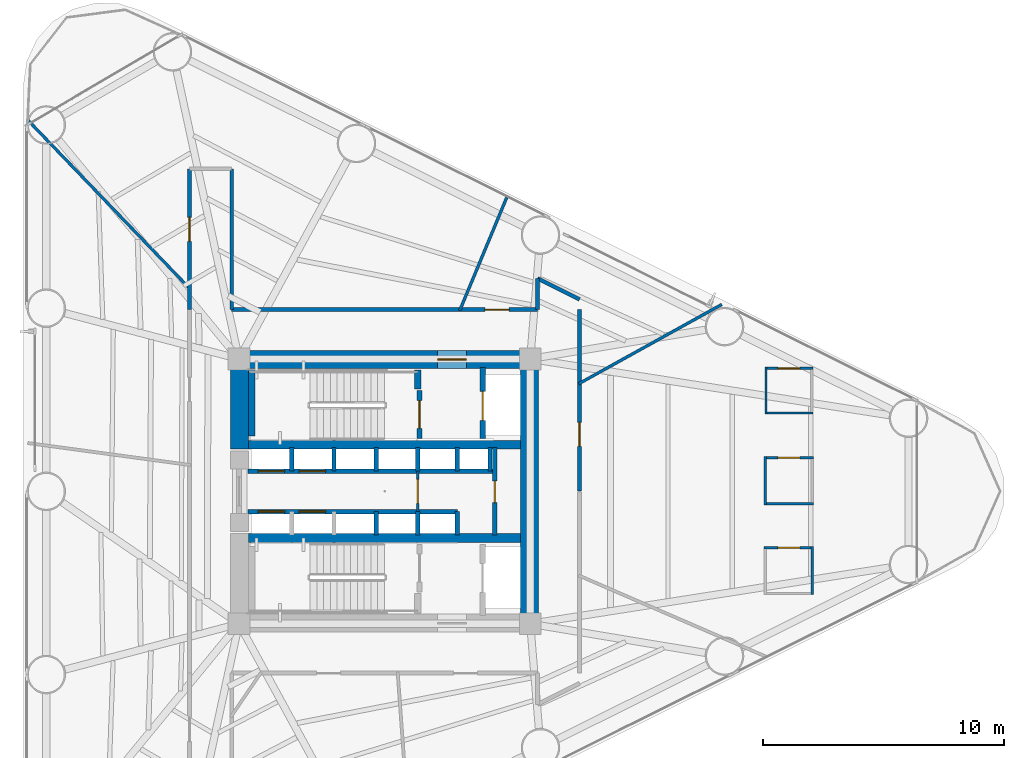
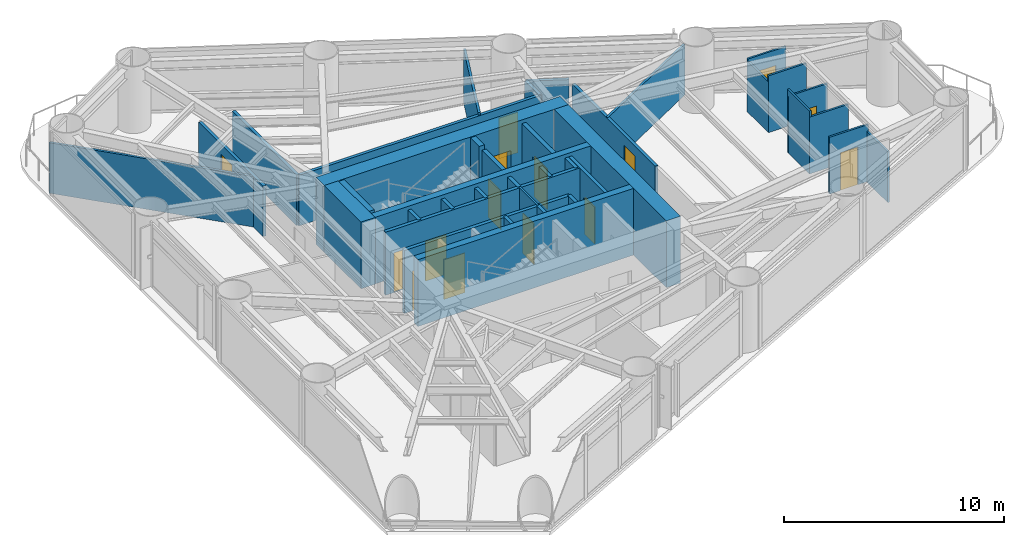
# One storey, part 6 of 10: 39 walls, 15 doors, 15 openings.
"""IFC4 building model written with IfcOpenShell, lengths in metres."""

import ifcopenshell
import ifcopenshell.guid

model = None  # the IFC model being written
_history = None  # IfcOwnerHistory: only IFC2X3 demands one
_inside = {}  # id of a spatial element -> (the spatial element, [elements in it])
_under = {}  # id of a project, library or spatial element -> (it, [spatial elements below it])
_declared = {}  # id of a project -> (the project, [libraries it declares])
_typed = {}  # id of a type object -> (the type object, [elements of that type])
_made_of = {}  # id of a material, layer set ... -> (it, [elements and type objects made of it])


def new_model(schema):
    """Start an empty IFC model of exactly this schema.

    Asked for "IFC4X3", IfcOpenShell would pick the latest addendum, in which some entities
    have other attributes; the version numbers below select the first issue.
    IFC2X3 requires an IfcOwnerHistory on every rooted entity: one is made here for all.
    """
    global model, _history
    if schema == "IFC4X3":
        model = ifcopenshell.file(schema_version=(4, 3, 0, 0))
    else:
        model = ifcopenshell.file(schema=schema)
    _inside.clear()
    _under.clear()
    _declared.clear()
    _typed.clear()
    _made_of.clear()
    _history = None
    if model.schema == "IFC2X3":
        org = make("IfcOrganization", Name="unknown")
        user = make(
            "IfcPersonAndOrganization",
            ThePerson=make("IfcPerson", FamilyName="unknown"),
            TheOrganization=org,
        )
        app = make(
            "IfcApplication",
            ApplicationDeveloper=org,
            Version="unknown",
            ApplicationFullName="unknown",
            ApplicationIdentifier="unknown",
        )
        _history = make(
            "IfcOwnerHistory",
            OwningUser=user,
            OwningApplication=app,
            ChangeAction="ADDED",
            CreationDate=0,
        )
    return model


def make(cls, **values):
    """One entity of the class cls with the attributes given. An attribute that is None is left unset."""
    return model.create_entity(
        cls, **{name: value for name, value in values.items() if value is not None}
    )


def rooted(cls, **values):
    """An entity with a GlobalId (a new one), such as an element, a storey or a relation."""
    return make(cls, GlobalId=ifcopenshell.guid.new(), OwnerHistory=_history, **values)


def si_unit(unit_type, name, prefix=None):
    """IfcSIUnit, for example si_unit("LENGTHUNIT", "METRE", prefix="MILLI")."""
    return make("IfcSIUnit", UnitType=unit_type, Prefix=prefix, Name=name)


def assignment(units):
    """IfcUnitAssignment: the units of a project."""
    return None if units is None else make("IfcUnitAssignment", Units=units)


def point(xyz):
    """IfcCartesianPoint."""
    return None if xyz is None else make("IfcCartesianPoint", Coordinates=xyz)


def direction(xyz):
    """IfcDirection."""
    return None if xyz is None else make("IfcDirection", DirectionRatios=xyz)


def frame(location, z_axis=None, x_axis=None):
    """IfcAxis2Placement3D, a coordinate frame: its origin and axes. An axis left out is left unset."""
    return make(
        "IfcAxis2Placement3D",
        Location=point(location),
        Axis=direction(z_axis),
        RefDirection=direction(x_axis),
    )


def frame_2d(location, x_axis=None):
    """IfcAxis2Placement2D, a coordinate frame in the plane: its origin and x axis."""
    return make(
        "IfcAxis2Placement2D", Location=point(location), RefDirection=direction(x_axis)
    )


def origin():
    """The frame at (0, 0, 0) with its axes left unset."""
    return frame((0.0, 0.0, 0.0))


def place(relative_to, where):
    """IfcLocalPlacement: puts the frame where relative to a parent placement (None: the world)."""
    return make(
        "IfcLocalPlacement", PlacementRelTo=relative_to, RelativePlacement=where
    )


def context(
    kind, dimensions, precision=None, world=None, true_north=None, identifier=None
):
    """IfcGeometricRepresentationContext, for example the 3D "Model" context."""
    return make(
        "IfcGeometricRepresentationContext",
        ContextIdentifier=identifier,
        ContextType=kind,
        CoordinateSpaceDimension=dimensions,
        Precision=precision,
        WorldCoordinateSystem=world,
        TrueNorth=true_north,
    )


def subcontext(parent, identifier, kind, view, scale=None):
    """IfcGeometricRepresentationSubContext, for example "Body" below "Model"."""
    return make(
        "IfcGeometricRepresentationSubContext",
        ContextIdentifier=identifier,
        ContextType=kind,
        ParentContext=parent,
        TargetScale=scale,
        TargetView=view,
    )


def project(units=None, contexts=None):
    """IfcProject with its units and contexts."""
    return rooted(
        "IfcProject",
        Name="project",
        RepresentationContexts=contexts,
        UnitsInContext=assignment(units),
    )


def spatial(cls, under=None, at=None, **own):
    """A site, building, storey or space (cls), placed at a placement, below another one or the project."""
    s = rooted(cls, ObjectPlacement=at, **own)
    if under is not None:
        _under.setdefault(under.id(), (under, []))[1].append(s)
    return s


def profile(cls, at=None, kind="AREA", **sizes):
    """A parametric profile (cls). Its sizes go by their IFC names, for example OverallWidth=200.0."""
    return make(cls, ProfileType=kind, Position=at, **sizes)


def rectangle(**sizes):
    """IfcRectangleProfileDef."""
    return profile("IfcRectangleProfileDef", **sizes)


def extrude(swept, where, along, depth):
    """IfcExtrudedAreaSolid: the profile swept, set in the frame where, extruded along a direction by depth."""
    return make(
        "IfcExtrudedAreaSolid",
        SweptArea=swept,
        Position=where,
        ExtrudedDirection=direction(along),
        Depth=depth,
    )


def shape(context_of_items, identifier, shape_type, items):
    """IfcShapeRepresentation: the items that make up one representation, for example the "Body"."""
    return make(
        "IfcShapeRepresentation",
        ContextOfItems=context_of_items,
        RepresentationIdentifier=identifier,
        RepresentationType=shape_type,
        Items=items,
    )


def material(Name=None, Category=None):
    """IfcMaterial."""
    return make("IfcMaterial", Name=Name, Category=Category)


def layer(
    of_material, thickness, ventilated=None, Name=None, Category=None, Priority=None
):
    """IfcMaterialLayer: one layer of a wall or slab, of a material (None: an air gap)."""
    return make(
        "IfcMaterialLayer",
        Material=of_material,
        LayerThickness=thickness,
        IsVentilated=ventilated,
        Name=Name,
        Category=Category,
        Priority=Priority,
    )


def layer_set(layers, Name=None):
    """IfcMaterialLayerSet."""
    return make("IfcMaterialLayerSet", MaterialLayers=layers, LayerSetName=Name)


def made_of(thing, what):
    """Note that an element or type object is made of a material, layer set ...; save() writes the relation."""
    if what is not None:
        _made_of.setdefault(what.id(), (what, []))[1].append(thing)
    return thing


def type_object(cls, material=None, **own):
    """A type object (cls), such as IfcWallType, which elements share."""
    return made_of(rooted(cls, **own), material)


def element(
    cls,
    number,
    at=None,
    inside=None,
    cuts=None,
    type_object=None,
    material=None,
    context=None,
    identifier="Body",
    shape_type=None,
    held_by="IfcProductDefinitionShape",
    body=None,
    shapes=None,
    **own,
):
    """One element of the class cls, such as IfcWall. Its Tag is "e" and its number.

    at: its placement. inside: the storey or other place that contains it. cuts: it is an
    opening in that element (IfcRelVoidsElement). A single representation is given by context,
    identifier, shape_type and body (its items); several are given by shapes. held_by: the class
    of the entity that holds the representations. save() writes the other relations.
    """
    e = rooted(cls, Tag="e%d" % number, ObjectPlacement=at, **own)
    if body is not None:
        shapes = [shape(context, identifier, shape_type, body)]
    if shapes is not None:
        e.Representation = make(held_by, Representations=shapes)
    if inside is not None:
        _inside.setdefault(inside.id(), (inside, []))[1].append(e)
    if cuts is not None:
        rooted(
            "IfcRelVoidsElement", RelatingBuildingElement=cuts, RelatedOpeningElement=e
        )
    if type_object is not None:
        _typed.setdefault(type_object.id(), (type_object, []))[1].append(e)
    return made_of(e, material)


def fill(opening, filler):
    """IfcRelFillsElement: the door or window that sits in an opening."""
    return rooted(
        "IfcRelFillsElement",
        RelatingOpeningElement=opening,
        RelatedBuildingElement=filler,
    )


def aggregate(whole, parts):
    """IfcRelAggregates: a whole, such as a stair, and the parts it consists of."""
    return rooted("IfcRelAggregates", RelatingObject=whole, RelatedObjects=parts)


def save(model, path):
    """Write the relations noted so far, then the file.

    IfcRelAggregates (storeys below a building ...), IfcRelContainedInSpatialStructure (elements
    in a storey), IfcRelDefinesByType, IfcRelAssociatesMaterial and IfcRelDeclares: one each for
    every whole, place, type object, material and project.
    """
    for whole, parts in _under.values():
        aggregate(whole, parts)
    for where, things in _inside.values():
        rooted(
            "IfcRelContainedInSpatialStructure",
            RelatedElements=things,
            RelatingStructure=where,
        )
    for kind, things in _typed.values():
        rooted("IfcRelDefinesByType", RelatedObjects=things, RelatingType=kind)
    for what, things in _made_of.values():
        rooted("IfcRelAssociatesMaterial", RelatedObjects=things, RelatingMaterial=what)
    for by, libraries in _declared.values():
        rooted("IfcRelDeclares", RelatingContext=by, RelatedDefinitions=libraries)
    model.write(path)


model = new_model("IFC4")

# Units and contexts
model_context = context("Model", 3, precision=1e-05, world=origin(), true_north=direction((0.0, 1.0)))
body_context = subcontext(model_context, "Body", "Model", "MODEL_VIEW")
ifc_project = project(units=[si_unit("LENGTHUNIT", "METRE"), si_unit("AREAUNIT", "SQUARE_METRE"), si_unit("VOLUMEUNIT", "CUBIC_METRE"), si_unit("PLANEANGLEUNIT", "RADIAN"), si_unit("MASSUNIT", "GRAM", prefix="KILO")], contexts=[model_context])

# Site, building, storey
site_placement = place(None, origin())
site = spatial("IfcSite", under=ifc_project, at=site_placement, CompositionType="ELEMENT")
building_placement = place(site_placement, origin())
building = spatial("IfcBuilding", under=site, at=building_placement, Name="Yunling Apex Tower", CompositionType="ELEMENT")
storey_placement = place(building_placement, frame((0.0, 0.0, 34.89990234375)))
storey = spatial("IfcBuildingStorey", under=building, at=storey_placement, Name="L10", CompositionType="ELEMENT", Elevation=34.89990234375)

# Wall, opening, door
ifc_material_1 = material(Name="Concrete C60", Category="concrete")
ifc_layer_1 = layer(ifc_material_1, 0.75)
ifc_layer_set_1 = layer_set([ifc_layer_1], Name="Concrete C60")
wall_type_1 = type_object("IfcWallType", Name="WL-COR-1", PredefinedType="SHEAR", material=ifc_layer_set_1)
wall_1_placement = place(storey_placement, frame((-6.39990234375, 5.47509765625, 0.0), z_axis=(0.0, 0.0, 1.0), x_axis=(1.0, 0.0, 0.0)))
wall_1 = element("IfcWall", 1, at=wall_1_placement, inside=storey, type_object=wall_type_1, Name="L10 North Core Shear Wall", PredefinedType="SHEAR", context=body_context, shape_type="SweptSolid", body=[
    extrude(rectangle(XDim=12.7998046875, YDim=0.75, at=frame_2d((6.39990234375, 0.0))), origin(), (0.0, 0.0, 1.0), 3.7001953125),
])
opening_1_placement = place(wall_1_placement, frame((8.60009765625, 0.0, 0.0)))
opening_1 = element("IfcOpeningElement", 2, at=opening_1_placement, cuts=wall_1, Name="Opening DR-FFL-1", PredefinedType="OPENING", context=body_context, shape_type="SweptSolid", body=[
    extrude(rectangle(XDim=1.199951171875, YDim=2.199951171875, at=frame_2d((0.60009765625, 1.10009765625))), frame((0.0, 0.385009765625, 0.0), z_axis=(0.0, -1.0, 0.0), x_axis=(1.0, 0.0, 0.0)), (0.0, 0.0, 1.0), 0.77001953125),
])
ifc_material_2 = material(Name="Steel Q355B", Category="steel")
door_type_1 = type_object("IfcDoorType", Name="DR-FFL-1", OperationType="NOTDEFINED", PredefinedType="DOOR", material=ifc_material_2)
door_1_placement = place(opening_1_placement, origin())
door_1 = element("IfcDoor", 3, at=door_1_placement, inside=storey, type_object=door_type_1, Name="L10 North Firefighting Lobby Door", OperationType="SINGLE_SWING_LEFT", OverallHeight=2.199951171875, OverallWidth=1.199951171875, PredefinedType="DOOR", context=body_context, shape_type="SweptSolid", body=[
    extrude(rectangle(XDim=1.199951171875, YDim=2.199951171875, at=frame_2d((0.60009765625, 1.10009765625))), frame((0.0, 0.02490234375, 0.0), z_axis=(0.0, -1.0, 0.0), x_axis=(1.0, 0.0, 0.0)), (0.0, 0.0, 1.0), 0.050048828125),
])
fill(opening_1, door_1)

# Walls
wall_2_placement = place(storey_placement, frame((6.02490234375, -5.10009765625, 0.0), z_axis=(0.0, 0.0, 1.0), x_axis=(0.0, 1.0, 0.0)))
element("IfcWall", 4, at=wall_2_placement, inside=storey, type_object=wall_type_1, Name="L10 East Core Shear Wall", PredefinedType="SHEAR", context=body_context, shape_type="SweptSolid", body=[
    extrude(rectangle(XDim=10.2001953125, YDim=0.75, at=frame_2d((5.10009765625, 0.0))), origin(), (0.0, 0.0, 1.0), 3.7001953125),
])
wall_3_placement = place(storey_placement, frame((-6.02490234375, 1.75, 0.0), z_axis=(0.0, 0.0, 1.0), x_axis=(0.0, 1.0, 0.0)))
element("IfcWall", 5, at=wall_3_placement, inside=storey, type_object=wall_type_1, Name="L10 West-North Core Shear Wall", PredefinedType="SHEAR", context=body_context, shape_type="SweptSolid", body=[
    extrude(rectangle(XDim=3.35009765625, YDim=0.75, at=frame_2d((1.675048828125, 0.0))), origin(), (0.0, 0.0, 1.0), 3.7001953125),
])
ifc_material_3 = material(Name="Concrete C40", Category="concrete")
ifc_layer_2 = layer(ifc_material_3, 0.360107421875)
ifc_layer_set_2 = layer_set([ifc_layer_2], Name="Concrete C40")
wall_type_2 = type_object("IfcWallType", Name="WL-COR-4", PredefinedType="SHEAR", material=ifc_layer_set_2)
for number, where, z_axis, x_axis, name in (
    (6, (-5.64990234375, 1.93994140625, 0.0), (0.0, 0.0, 1.0), (1.0, 0.0, 0.0), "L10 North Internal Core Shear Wall"),
    (7, (-5.64990234375, -1.93994140625, 0.0), (0.0, 0.0, 1.0), (1.0, 0.0, 0.0), "L10 South Internal Core Shear Wall"),
):
    element("IfcWall", number, at=place(storey_placement, frame(where, z_axis=z_axis, x_axis=x_axis)), inside=storey, type_object=wall_type_2, Name=name, PredefinedType="SHEAR", context=body_context, shape_type="SweptSolid", body=[
        extrude(rectangle(XDim=11.2998046875, YDim=0.360107421875, at=frame_2d((5.64990234375, 0.0))), origin(), (0.0, 0.0, 1.0), 3.7001953125),
    ])
ifc_layer_3 = layer(ifc_material_3, 0.280029296875)
ifc_layer_set_3 = layer_set([ifc_layer_3], Name="Concrete C40")
wall_type_3 = type_object("IfcWallType", Name="WL-COR-8", PredefinedType="SHEAR", material=ifc_layer_set_3)
wall_4_placement = place(storey_placement, frame((-5.52001953125, 2.300048828125, 0.0), z_axis=(0.0, 0.0, 1.0), x_axis=(0.0, 1.0, 0.0)))
element("IfcWall", 8, at=wall_4_placement, inside=storey, type_object=wall_type_3, Name="L10 ST-1 West Landing Bearing Wall", PredefinedType="SHEAR", context=body_context, shape_type="SweptSolid", body=[
    extrude(rectangle(XDim=2.75, YDim=0.280029296875, at=frame_2d((1.375, 0.0))), origin(), (0.0, 0.0, 1.0), 3.7001953125),
])
wall_5_placement = place(storey_placement, frame((1.3798828125, 4.25, 0.0), z_axis=(0.0, 0.0, 1.0), x_axis=(0.0, 1.0, 0.0)))
element("IfcWall", 9, at=wall_5_placement, inside=storey, type_object=wall_type_3, Name="L10 ST-1 East Landing Bearing Pier", PredefinedType="SHEAR", context=body_context, shape_type="SweptSolid", body=[
    extrude(rectangle(XDim=0.800048828125, YDim=0.280029296875, at=frame_2d((0.39990234375, 0.0))), origin(), (0.0, 0.0, 1.0), 3.7001953125),
])

# Wall, opening, door
ifc_material_4 = material(Name="Gypsum board acoustic partition")
ifc_layer_4 = layer(ifc_material_4, 0.159912109375)
ifc_layer_set_4 = layer_set([ifc_layer_4], Name="Gypsum board acoustic partition")
wall_type_4 = type_object("IfcWallType", Name="WL-PRT-1", PredefinedType="PARTITIONING", material=ifc_layer_set_4)
wall_6_placement = place(storey_placement, frame((-8.10009765625, 7.550048828125, 0.0), z_axis=(0.0, 0.0, 1.0), x_axis=(0.0, 1.0, 0.0)))
wall_6 = element("IfcWall", 10, at=wall_6_placement, inside=storey, type_object=wall_type_4, Name="WL-CORR-L10-06", PredefinedType="PARTITIONING", context=body_context, shape_type="SweptSolid", body=[
    extrude(rectangle(XDim=5.849853515625, YDim=0.159912109375, at=frame_2d((2.9248046875, 0.0))), origin(), (0.0, 0.0, 1.0), 2.800048828125),
])
opening_2_placement = place(wall_6_placement, frame((2.830078125, 0.0, 0.0)))
opening_2 = element("IfcOpeningElement", 11, at=opening_2_placement, cuts=wall_6, Name="Opening DR-OFF-1", PredefinedType="OPENING", context=body_context, shape_type="SweptSolid", body=[
    extrude(rectangle(XDim=1.0, YDim=2.25, at=frame_2d((0.5, 1.125))), frame((0.0, 0.08984375, 0.0), z_axis=(0.0, -1.0, 0.0), x_axis=(1.0, 0.0, 0.0)), (0.0, 0.0, 1.0), 0.179931640625),
])
ifc_material_5 = material(Name="Bronze anodised aluminium", Category="aluminium")
door_type_2 = type_object("IfcDoorType", Name="DR-OFF-1", OperationType="NOTDEFINED", PredefinedType="DOOR", material=ifc_material_5)
door_2_placement = place(opening_2_placement, origin())
door_2 = element("IfcDoor", 12, at=door_2_placement, inside=storey, type_object=door_type_2, Name="L10 Staff Fitness Club Door", OperationType="SINGLE_SWING_RIGHT", OverallHeight=2.25, OverallWidth=1.0, PredefinedType="DOOR", context=body_context, shape_type="SweptSolid", body=[
    extrude(rectangle(XDim=1.0, YDim=2.25, at=frame_2d((0.5, 1.125))), frame((0.0, 0.02490234375, 0.0), z_axis=(0.0, -1.0, 0.0), x_axis=(1.0, 0.0, 0.0)), (0.0, 0.0, 1.0), 0.050048828125),
])
fill(opening_2, door_2)

# Wall
wall_7_placement = place(storey_placement, frame((-6.35009765625, 13.39990234375, 0.0), z_axis=(0.0, 0.0, 1.0), x_axis=(0.0, -1.0, 0.0)))
element("IfcWall", 13, at=wall_7_placement, inside=storey, type_object=wall_type_4, Name="WL-CORR-L10-08", PredefinedType="PARTITIONING", context=body_context, shape_type="SweptSolid", body=[
    extrude(rectangle(XDim=5.849853515625, YDim=0.159912109375, at=frame_2d((2.9248046875, 0.0))), origin(), (0.0, 0.0, 1.0), 2.800048828125),
])

# Wall, opening, door
wall_8_placement = place(storey_placement, frame((-6.35009765625, 7.550048828125, 0.0), z_axis=(0.0, 0.0, 1.0), x_axis=(1.0, 0.0, 0.0)))
wall_8 = element("IfcWall", 14, at=wall_8_placement, inside=storey, type_object=wall_type_4, Name="WL-CORR-L10-09", PredefinedType="PARTITIONING", context=body_context, shape_type="SweptSolid", body=[
    extrude(rectangle(XDim=12.7001953125, YDim=0.159912109375, at=frame_2d((6.35009765625, 0.0))), origin(), (0.0, 0.0, 1.0), 2.800048828125),
])
opening_3_placement = place(wall_8_placement, frame((10.52001953125, 0.0, 0.0)))
opening_3 = element("IfcOpeningElement", 15, at=opening_3_placement, cuts=wall_8, Name="Opening DR-OFF-1", PredefinedType="OPENING", context=body_context, shape_type="SweptSolid", body=[
    extrude(rectangle(XDim=1.0, YDim=2.25, at=frame_2d((0.5, 1.125))), frame((0.0, 0.08984375, 0.0), z_axis=(0.0, -1.0, 0.0), x_axis=(1.0, 0.0, 0.0)), (0.0, 0.0, 1.0), 0.179931640625),
])
door_3_placement = place(opening_3_placement, origin())
door_3 = element("IfcDoor", 16, at=door_3_placement, inside=storey, type_object=door_type_2, Name="L10 Document Archive Store Door", OperationType="SINGLE_SWING_LEFT", OverallHeight=2.25, OverallWidth=1.0, PredefinedType="DOOR", context=body_context, shape_type="SweptSolid", body=[
    extrude(rectangle(XDim=1.0, YDim=2.25, at=frame_2d((0.5, 1.125))), frame((0.0, 0.02490234375, 0.0), z_axis=(0.0, -1.0, 0.0), x_axis=(1.0, 0.0, 0.0)), (0.0, 0.0, 1.0), 0.050048828125),
])
fill(opening_3, door_3)

# Walls
wall_9_placement = place(storey_placement, frame((6.35009765625, 7.550048828125, 0.0), z_axis=(0.0, 0.0, 1.0), x_axis=(0.0, 1.0, 0.0)))
element("IfcWall", 17, at=wall_9_placement, inside=storey, type_object=wall_type_4, Name="WL-CORR-L10-10", PredefinedType="PARTITIONING", context=body_context, shape_type="SweptSolid", body=[
    extrude(rectangle(XDim=1.296142578125, YDim=0.159912109375, at=frame_2d((0.64794921875, 0.0))), origin(), (0.0, 0.0, 1.0), 2.800048828125),
])
wall_10_placement = place(storey_placement, frame((6.35009765625, 8.84619140625, 0.0), z_axis=(0.0, 0.0, 1.0), x_axis=(0.89527489017, -0.445514164793, 0.0)))
element("IfcWall", 18, at=wall_10_placement, inside=storey, type_object=wall_type_4, Name="WL-CORR-L10-11", PredefinedType="PARTITIONING", context=body_context, shape_type="SweptSolid", body=[
    extrude(rectangle(XDim=1.95458984375, YDim=0.159912109375, at=frame_2d((0.977294921875, 0.0))), origin(), (0.0, 0.0, 1.0), 2.800048828125),
])

# Wall, opening, door
wall_11_placement = place(storey_placement, frame((8.10009765625, 7.550048828125, 0.0), z_axis=(0.0, 0.0, 1.0), x_axis=(0.0, -1.0, 0.0)))
wall_11 = element("IfcWall", 19, at=wall_11_placement, inside=storey, type_object=wall_type_4, Name="WL-CORR-L10-13", PredefinedType="PARTITIONING", context=body_context, shape_type="SweptSolid", body=[
    extrude(rectangle(XDim=7.530029296875, YDim=0.159912109375, at=frame_2d((3.76513671875, 0.0))), origin(), (0.0, 0.0, 1.0), 2.800048828125),
])
opening_4_placement = place(wall_11_placement, frame((4.6806640625, 0.0, 0.0)))
opening_4 = element("IfcOpeningElement", 20, at=opening_4_placement, cuts=wall_11, Name="Opening DR-OFF-1", PredefinedType="OPENING", context=body_context, shape_type="SweptSolid", body=[
    extrude(rectangle(XDim=1.0, YDim=2.25, at=frame_2d((0.5, 1.125))), frame((0.0, 0.08984375, 0.0), z_axis=(0.0, -1.0, 0.0), x_axis=(1.0, 0.0, 0.0)), (0.0, 0.0, 1.0), 0.179931640625),
])
door_4_placement = place(opening_4_placement, origin())
door_4 = element("IfcDoor", 21, at=door_4_placement, inside=storey, type_object=door_type_2, Name="L10 Service Foyer Lounge Door", OperationType="SINGLE_SWING_RIGHT", OverallHeight=2.25, OverallWidth=1.0, PredefinedType="DOOR", context=body_context, shape_type="SweptSolid", body=[
    extrude(rectangle(XDim=1.0, YDim=2.25, at=frame_2d((0.5, 1.125))), frame((0.0, 0.02490234375, 0.0), z_axis=(0.0, -1.0, 0.0), x_axis=(1.0, 0.0, 0.0)), (0.0, 0.0, 1.0), 0.050048828125),
])
fill(opening_4, door_4)

# Walls
ifc_layer_5 = layer(ifc_material_4, 0.1201171875)
ifc_layer_set_5 = layer_set([ifc_layer_5], Name="Gypsum board acoustic partition")
wall_type_5 = type_object("IfcWallType", Name="WL-PRT-3", PredefinedType="PARTITIONING", material=ifc_layer_set_5)
wall_12_placement = place(storey_placement, frame((8.06005859375, 4.4677734375, 0.0), z_axis=(0.0, 0.0, 1.0), x_axis=(0.874622878111, 0.484803899618, 0.0)))
element("IfcWall", 22, at=wall_12_placement, inside=storey, type_object=wall_type_5, Name="WL-RAD-L10-01", PredefinedType="PARTITIONING", context=body_context, shape_type="SweptSolid", body=[
    extrude(rectangle(XDim=6.7958984375, YDim=0.1201171875, at=frame_2d((3.39794921875, 0.0))), origin(), (0.0, 0.0, 1.0), 2.800048828125),
])
wall_13_placement = place(storey_placement, frame((3.12158203125, 7.510009765625, 0.0), z_axis=(0.0, 0.0, 1.0), x_axis=(0.383885926118, 0.923380525963, 0.0)))
element("IfcWall", 23, at=wall_13_placement, inside=storey, type_object=wall_type_5, Name="WL-RAD-L10-02", PredefinedType="PARTITIONING", context=body_context, shape_type="SweptSolid", body=[
    extrude(rectangle(XDim=5.08642578125, YDim=0.1201171875, at=frame_2d((2.543212890625, 0.0))), origin(), (0.0, 0.0, 1.0), 2.960205078125),
])
wall_14_placement = place(storey_placement, frame((-8.06005859375, 8.38818359375, 0.0), z_axis=(0.0, 0.0, 1.0), x_axis=(-0.692869708489, 0.721062803823, 0.0)))
element("IfcWall", 24, at=wall_14_placement, inside=storey, type_object=wall_type_5, Name="WL-RAD-L10-03", PredefinedType="PARTITIONING", context=body_context, shape_type="SweptSolid", body=[
    extrude(rectangle(XDim=9.75927734375, YDim=0.1201171875, at=frame_2d((4.879638671875, 0.0))), origin(), (0.0, 0.0, 1.0), 2.800048828125),
])

# Wall, opening, door
ifc_layer_6 = layer(ifc_material_4, 0.10009765625)
ifc_layer_set_6 = layer_set([ifc_layer_6], Name="Gypsum board acoustic partition")
wall_type_6 = type_object("IfcWallType", Name="WL-PRT-4", PredefinedType="PARTITIONING", material=ifc_layer_set_6)
wall_15_placement = place(storey_placement, frame((1.3798828125, -0.840087890625, 0.0), z_axis=(0.0, 0.0, 1.0), x_axis=(0.0, 1.0, 0.0)))
wall_15 = element("IfcWall", 25, at=wall_15_placement, inside=storey, type_object=wall_type_6, Name="WL-LOB-MID-L10", PredefinedType="PARTITIONING", context=body_context, shape_type="SweptSolid", body=[
    extrude(rectangle(XDim=1.68017578125, YDim=0.10009765625, at=frame_2d((0.840087890625, 0.0))), origin(), (0.0, 0.0, 1.0), 3.4951171875),
])
opening_5_placement = place(wall_15_placement, frame((0.340087890625, 0.0, 0.0)))
opening_5 = element("IfcOpeningElement", 26, at=opening_5_placement, cuts=wall_15, Name="Opening DR-OFF-1", PredefinedType="OPENING", context=body_context, shape_type="SweptSolid", body=[
    extrude(rectangle(XDim=1.0, YDim=2.25, at=frame_2d((0.5, 1.125))), frame((0.0, 0.06005859375, 0.0), z_axis=(0.0, -1.0, 0.0), x_axis=(1.0, 0.0, 0.0)), (0.0, 0.0, 1.0), 0.1201171875),
])
door_5_placement = place(opening_5_placement, origin())
door_5 = element("IfcDoor", 27, at=door_5_placement, inside=storey, type_object=door_type_2, Name="L10 Core Lobby Link Door", OperationType="SINGLE_SWING_LEFT", OverallHeight=2.25, OverallWidth=1.0, PredefinedType="DOOR", context=body_context, shape_type="SweptSolid", body=[
    extrude(rectangle(XDim=1.0, YDim=2.25, at=frame_2d((0.5, 1.125))), frame((0.0, 0.02490234375, 0.0), z_axis=(0.0, -1.0, 0.0), x_axis=(1.0, 0.0, 0.0)), (0.0, 0.0, 1.0), 0.050048828125),
])
fill(opening_5, door_5)

wall_16_placement = place(storey_placement, frame((15.77001953125, 1.39306640625, 0.0), z_axis=(0.0, 0.0, 1.0), x_axis=(1.0, 0.0, 0.0)))
wall_16 = element("IfcWall", 28, at=wall_16_placement, inside=storey, type_object=wall_type_6, Name="WL-L10-WCMN", PredefinedType="PARTITIONING", context=body_context, shape_type="SweptSolid", body=[
    extrude(rectangle(XDim=2.050048828125, YDim=0.10009765625, at=frame_2d((1.02490234375, 0.0))), origin(), (0.0, 0.0, 1.0), 3.150146484375),
])
opening_6_placement = place(wall_16_placement, frame((0.56494140625, 0.0, 0.0)))
opening_6 = element("IfcOpeningElement", 29, at=opening_6_placement, cuts=wall_16, Name="Opening DR-WC-1", PredefinedType="OPENING", context=body_context, shape_type="SweptSolid", body=[
    extrude(rectangle(XDim=0.919921875, YDim=2.10009765625, at=frame_2d((0.4599609375, 1.050048828125))), frame((0.0, 0.06005859375, 0.0), z_axis=(0.0, -1.0, 0.0), x_axis=(1.0, 0.0, 0.0)), (0.0, 0.0, 1.0), 0.1201171875),
])
ifc_material_6 = material(Name="Timber moisture-resistant leaf", Category="wood")
door_type_3 = type_object("IfcDoorType", Name="DR-WC-1", OperationType="NOTDEFINED", PredefinedType="DOOR", material=ifc_material_6)
door_6_placement = place(opening_6_placement, origin())
door_6 = element("IfcDoor", 30, at=door_6_placement, inside=storey, type_object=door_type_3, Name="L10 Male Toilet Door", OperationType="SINGLE_SWING_LEFT", OverallHeight=2.10009765625, OverallWidth=0.919921875, PredefinedType="DOOR", context=body_context, shape_type="SweptSolid", body=[
    extrude(rectangle(XDim=0.919921875, YDim=2.10009765625, at=frame_2d((0.4599609375, 1.050048828125))), frame((0.0, 0.02490234375, 0.0), z_axis=(0.0, -1.0, 0.0), x_axis=(1.0, 0.0, 0.0)), (0.0, 0.0, 1.0), 0.050048828125),
])
fill(opening_6, door_6)

# Walls
wall_17_placement = place(storey_placement, frame((17.820068359375, -0.507080078125, 0.0), z_axis=(0.0, 0.0, 1.0), x_axis=(-1.0, 0.0, 0.0)))
element("IfcWall", 31, at=wall_17_placement, inside=storey, type_object=wall_type_6, Name="WL-L10-WCMS", PredefinedType="PARTITIONING", context=body_context, shape_type="SweptSolid", body=[
    extrude(rectangle(XDim=2.050048828125, YDim=0.10009765625, at=frame_2d((1.02490234375, 0.0))), origin(), (0.0, 0.0, 1.0), 3.150146484375),
])
wall_18_placement = place(storey_placement, frame((15.820068359375, -0.556884765625, 0.0), z_axis=(0.0, 0.0, 1.0), x_axis=(0.0, 1.0, 0.0)))
element("IfcWall", 32, at=wall_18_placement, inside=storey, type_object=wall_type_6, Name="WL-L10-WCMW", PredefinedType="PARTITIONING", context=body_context, shape_type="SweptSolid", body=[
    extrude(rectangle(XDim=2.0, YDim=0.10009765625, at=frame_2d((1.0, 0.0))), origin(), (0.0, 0.0, 1.0), 3.4951171875),
])

# Wall, opening, door
wall_19_placement = place(storey_placement, frame((15.77001953125, -2.343994140625, 0.0), z_axis=(0.0, 0.0, 1.0), x_axis=(1.0, 0.0, 0.0)))
wall_19 = element("IfcWall", 33, at=wall_19_placement, inside=storey, type_object=wall_type_6, Name="WL-L10-WCFN", PredefinedType="PARTITIONING", context=body_context, shape_type="SweptSolid", body=[
    extrude(rectangle(XDim=2.050048828125, YDim=0.10009765625, at=frame_2d((1.02490234375, 0.0))), origin(), (0.0, 0.0, 1.0), 3.150146484375),
])
opening_7_placement = place(wall_19_placement, frame((0.56494140625, 0.0, 0.0)))
opening_7 = element("IfcOpeningElement", 34, at=opening_7_placement, cuts=wall_19, Name="Opening DR-WC-1", PredefinedType="OPENING", context=body_context, shape_type="SweptSolid", body=[
    extrude(rectangle(XDim=0.919921875, YDim=2.10009765625, at=frame_2d((0.4599609375, 1.050048828125))), frame((0.0, 0.06005859375, 0.0), z_axis=(0.0, -1.0, 0.0), x_axis=(1.0, 0.0, 0.0)), (0.0, 0.0, 1.0), 0.1201171875),
])
door_7_placement = place(opening_7_placement, origin())
door_7 = element("IfcDoor", 35, at=door_7_placement, inside=storey, type_object=door_type_3, Name="L10 Female Toilet Door", OperationType="SINGLE_SWING_RIGHT", OverallHeight=2.10009765625, OverallWidth=0.919921875, PredefinedType="DOOR", context=body_context, shape_type="SweptSolid", body=[
    extrude(rectangle(XDim=0.919921875, YDim=2.10009765625, at=frame_2d((0.4599609375, 1.050048828125))), frame((0.0, 0.02490234375, 0.0), z_axis=(0.0, -1.0, 0.0), x_axis=(1.0, 0.0, 0.0)), (0.0, 0.0, 1.0), 0.050048828125),
])
fill(opening_7, door_7)

# Wall
wall_20_placement = place(storey_placement, frame((17.77001953125, -2.2939453125, 0.0), z_axis=(0.0, 0.0, 1.0), x_axis=(0.0, -1.0, 0.0)))
element("IfcWall", 36, at=wall_20_placement, inside=storey, type_object=wall_type_6, Name="WL-L10-WCFE", PredefinedType="PARTITIONING", context=body_context, shape_type="SweptSolid", body=[
    extrude(rectangle(XDim=2.0, YDim=0.10009765625, at=frame_2d((1.0, 0.0))), origin(), (0.0, 0.0, 1.0), 2.800048828125),
])

# Wall, opening, door
wall_21_placement = place(storey_placement, frame((15.794921875, 5.10595703125, 0.0), z_axis=(0.0, 0.0, 1.0), x_axis=(1.0, 0.0, 0.0)))
wall_21 = element("IfcWall", 37, at=wall_21_placement, inside=storey, type_object=wall_type_6, Name="WL-L10-WCAN", PredefinedType="PARTITIONING", context=body_context, shape_type="SweptSolid", body=[
    extrude(rectangle(XDim=2.0, YDim=0.10009765625, at=frame_2d((1.0, 0.0))), origin(), (0.0, 0.0, 1.0), 2.960205078125),
])
opening_8_placement = place(wall_21_placement, frame((0.5400390625, 0.0, 0.0)))
opening_8 = element("IfcOpeningElement", 38, at=opening_8_placement, cuts=wall_21, Name="Opening DR-WC-1", PredefinedType="OPENING", context=body_context, shape_type="SweptSolid", body=[
    extrude(rectangle(XDim=0.919921875, YDim=2.10009765625, at=frame_2d((0.4599609375, 1.050048828125))), frame((0.0, 0.06005859375, 0.0), z_axis=(0.0, -1.0, 0.0), x_axis=(1.0, 0.0, 0.0)), (0.0, 0.0, 1.0), 0.1201171875),
])
door_8_placement = place(opening_8_placement, origin())
door_8 = element("IfcDoor", 39, at=door_8_placement, inside=storey, type_object=door_type_3, Name="L10 Accessible WC Door", OperationType="SINGLE_SWING_LEFT", OverallHeight=2.10009765625, OverallWidth=0.919921875, PredefinedType="DOOR", context=body_context, shape_type="SweptSolid", body=[
    extrude(rectangle(XDim=0.919921875, YDim=2.10009765625, at=frame_2d((0.4599609375, 1.050048828125))), frame((0.0, 0.02490234375, 0.0), z_axis=(0.0, -1.0, 0.0), x_axis=(1.0, 0.0, 0.0)), (0.0, 0.0, 1.0), 0.050048828125),
])
fill(opening_8, door_8)

# Walls
wall_22_placement = place(storey_placement, frame((17.794921875, 3.256103515625, 0.0), z_axis=(0.0, 0.0, 1.0), x_axis=(-1.0, 0.0, 0.0)))
element("IfcWall", 40, at=wall_22_placement, inside=storey, type_object=wall_type_6, Name="WL-L10-WCAS", PredefinedType="PARTITIONING", context=body_context, shape_type="SweptSolid", body=[
    extrude(rectangle(XDim=2.0, YDim=0.10009765625, at=frame_2d((1.0, 0.0))), origin(), (0.0, 0.0, 1.0), 3.150146484375),
])
wall_23_placement = place(storey_placement, frame((15.844970703125, 3.2060546875, 0.0), z_axis=(0.0, 0.0, 1.0), x_axis=(0.0, 1.0, 0.0)))
element("IfcWall", 41, at=wall_23_placement, inside=storey, type_object=wall_type_6, Name="WL-L10-WCAW", PredefinedType="PARTITIONING", context=body_context, shape_type="SweptSolid", body=[
    extrude(rectangle(XDim=1.949951171875, YDim=0.10009765625, at=frame_2d((0.97509765625, 0.0))), origin(), (0.0, 0.0, 1.0), 2.800048828125),
])

# Wall, opening, door
ifc_material_7 = material(Name="Autoclaved aerated concrete masonry", Category="masonry")
ifc_layer_7 = layer(ifc_material_7, 0.219970703125)
ifc_layer_set_7 = layer_set([ifc_layer_7], Name="Autoclaved aerated concrete masonry")
wall_type_7 = type_object("IfcWallType", Name="WL-SHF-1", PredefinedType="PLUMBINGWALL", material=ifc_layer_set_7)
wall_24_placement = place(storey_placement, frame((1.449951171875, 2.199951171875, 0.0), z_axis=(0.0, 0.0, 1.0), x_axis=(0.0, 1.0, 0.0)))
wall_24 = element("IfcWall", 42, at=wall_24_placement, inside=storey, type_object=wall_type_7, Name="WL-ST1-E-L10", PredefinedType="PLUMBINGWALL", context=body_context, shape_type="SweptSolid", body=[
    extrude(rectangle(XDim=1.97998046875, YDim=0.219970703125, at=frame_2d((0.989990234375, 0.0))), origin(), (0.0, 0.0, 1.0), 3.4951171875),
])
opening_9_placement = place(wall_24_placement, frame((0.419921875, 0.0, 0.0)))
opening_9 = element("IfcOpeningElement", 43, at=opening_9_placement, cuts=wall_24, Name="Opening DR-ST-1", PredefinedType="OPENING", context=body_context, shape_type="SweptSolid", body=[
    extrude(rectangle(XDim=1.14990234375, YDim=2.14990234375, at=frame_2d((0.574951171875, 1.074951171875))), frame((0.0, 0.1201171875, 0.0), z_axis=(0.0, -1.0, 0.0), x_axis=(1.0, 0.0, 0.0)), (0.0, 0.0, 1.0), 0.239990234375),
])
door_type_4 = type_object("IfcDoorType", Name="DR-ST-1", OperationType="NOTDEFINED", PredefinedType="DOOR", material=ifc_material_2)
door_9_placement = place(opening_9_placement, origin())
door_9 = element("IfcDoor", 44, at=door_9_placement, inside=storey, type_object=door_type_4, Name="L10 Stair ST-1 Fire Door", OperationType="SINGLE_SWING_LEFT", OverallHeight=2.14990234375, OverallWidth=1.14990234375, PredefinedType="DOOR", context=body_context, shape_type="SweptSolid", body=[
    extrude(rectangle(XDim=1.14990234375, YDim=2.14990234375, at=frame_2d((0.574951171875, 1.074951171875))), frame((0.0, 0.02490234375, 0.0), z_axis=(0.0, -1.0, 0.0), x_axis=(1.0, 0.0, 0.0)), (0.0, 0.0, 1.0), 0.050048828125),
])
fill(opening_9, door_9)

wall_25_placement = place(storey_placement, frame((4.080078125, 2.199951171875, 0.0), z_axis=(0.0, 0.0, 1.0), x_axis=(0.0, 1.0, 0.0)))
wall_25 = element("IfcWall", 45, at=wall_25_placement, inside=storey, type_object=wall_type_7, Name="WL-FFL1-W-L10", PredefinedType="PLUMBINGWALL", context=body_context, shape_type="SweptSolid", body=[
    extrude(rectangle(XDim=2.949951171875, YDim=0.219970703125, at=frame_2d((1.47509765625, 0.0))), origin(), (0.0, 0.0, 1.0), 3.4951171875),
])
opening_10_placement = place(wall_25_placement, frame((0.75, 0.0, 0.0)))
opening_10 = element("IfcOpeningElement", 46, at=opening_10_placement, cuts=wall_25, Name="Opening LD-FFL-1", PredefinedType="OPENING", context=body_context, shape_type="SweptSolid", body=[
    extrude(rectangle(XDim=1.199951171875, YDim=2.25, at=frame_2d((0.60009765625, 1.125))), frame((0.0, 0.1201171875, 0.0), z_axis=(0.0, -1.0, 0.0), x_axis=(1.0, 0.0, 0.0)), (0.0, 0.0, 1.0), 0.239990234375),
])
door_type_5 = type_object("IfcDoorType", Name="LD-FFL-1", OperationType="DOUBLE_DOOR_SLIDING", PredefinedType="DOOR", material=ifc_material_2)
door_10_placement = place(opening_10_placement, origin())
door_10 = element("IfcDoor", 47, at=door_10_placement, inside=storey, type_object=door_type_5, Name="L10 Lift FFL-1 Landing Door", OperationType="DOUBLE_DOOR_SLIDING", OverallHeight=2.25, OverallWidth=1.199951171875, PredefinedType="DOOR", context=body_context, shape_type="SweptSolid", body=[
    extrude(rectangle(XDim=1.199951171875, YDim=2.25, at=frame_2d((0.60009765625, 1.125))), frame((0.0, 0.02490234375, 0.0), z_axis=(0.0, -1.0, 0.0), x_axis=(1.0, 0.0, 0.0)), (0.0, 0.0, 1.0), 0.050048828125),
])
fill(opening_10, door_10)

# Walls
ifc_layer_8 = layer(ifc_material_7, 0.179931640625)
ifc_layer_set_8 = layer_set([ifc_layer_8], Name="Autoclaved aerated concrete masonry")
wall_type_8 = type_object("IfcWallType", Name="WL-SHF-2", PredefinedType="PLUMBINGWALL", material=ifc_layer_set_8)
for number, where, z_axis, x_axis, name in (
    (48, (-3.85009765625, 0.840087890625, 0.0), (0.0, 0.0, 1.0), (0.0, 1.0, 0.0), "WL-DIV-L12-L10"),
    (49, (-2.10009765625, 0.840087890625, 0.0), (0.0, 0.0, 1.0), (0.0, 1.0, 0.0), "WL-BNK-LM-N-L10"),
    (50, (-0.35009765625, 0.840087890625, 0.0), (0.0, 0.0, 1.0), (0.0, 1.0, 0.0), "WL-DIV-M12-L10"),
    (51, (-0.35009765625, -1.820068359375, 0.0), (0.0, 0.0, 1.0), (0.0, 1.0, 0.0), "WL-DIV-M34-L10"),
    (52, (1.3798828125, 0.840087890625, 0.0), (0.0, 0.0, 1.0), (0.0, 1.0, 0.0), "WL-BNK-MH-N-L10"),
    (53, (1.3798828125, -1.820068359375, 0.0), (0.0, 0.0, 1.0), (0.0, 1.0, 0.0), "WL-BNK-MH-S-L10"),
    (54, (3.02001953125, 0.840087890625, 0.0), (0.0, 0.0, 1.0), (0.0, 1.0, 0.0), "WL-DIV-H13-L10"),
    (55, (4.3798828125, 0.840087890625, 0.0), (0.0, 0.0, 1.0), (0.0, 1.0, 0.0), "WL-END-H3E-L10"),
    (56, (3.02001953125, -1.820068359375, 0.0), (0.0, 0.0, 1.0), (0.0, 1.0, 0.0), "WL-END-H2E-L10"),
):
    element("IfcWall", number, at=place(storey_placement, frame(where, z_axis=z_axis, x_axis=x_axis)), inside=storey, type_object=wall_type_8, Name=name, PredefinedType="PLUMBINGWALL", context=body_context, shape_type="SweptSolid", body=[
        extrude(rectangle(XDim=0.97998046875, YDim=0.179931640625, at=frame_2d((0.489990234375, 0.0))), origin(), (0.0, 0.0, 1.0), 3.4951171875),
    ])

# Wall, opening, door
wall_26_placement = place(storey_placement, frame((4.580078125, -1.820068359375, 0.0), z_axis=(0.0, 0.0, 1.0), x_axis=(0.0, 1.0, 0.0)))
wall_26 = element("IfcWall", 57, at=wall_26_placement, inside=storey, type_object=wall_type_8, Name="WL-KBE-W-L10", PredefinedType="PLUMBINGWALL", context=body_context, shape_type="SweptSolid", body=[
    extrude(rectangle(XDim=3.64013671875, YDim=0.179931640625, at=frame_2d((1.820068359375, 0.0))), origin(), (0.0, 0.0, 1.0), 3.4951171875),
])
opening_11_placement = place(wall_26_placement, frame((1.35009765625, 0.0, 0.0)))
opening_11 = element("IfcOpeningElement", 58, at=opening_11_placement, cuts=wall_26, Name="Opening DR-SHF-1", PredefinedType="OPENING", context=body_context, shape_type="SweptSolid", body=[
    extrude(rectangle(XDim=0.89990234375, YDim=2.050048828125, at=frame_2d((0.449951171875, 1.02490234375))), frame((0.0, 0.10009765625, 0.0), z_axis=(0.0, -1.0, 0.0), x_axis=(1.0, 0.0, 0.0)), (0.0, 0.0, 1.0), 0.199951171875),
])
door_type_6 = type_object("IfcDoorType", Name="DR-SHF-1", OperationType="NOTDEFINED", PredefinedType="DOOR", material=ifc_material_2)
door_11_placement = place(opening_11_placement, origin())
door_11 = element("IfcDoor", 59, at=door_11_placement, inside=storey, type_object=door_type_6, Name="L10 Core Meter Room Door", OperationType="SINGLE_SWING_RIGHT", OverallHeight=2.050048828125, OverallWidth=0.89990234375, PredefinedType="DOOR", context=body_context, shape_type="SweptSolid", body=[
    extrude(rectangle(XDim=0.89990234375, YDim=2.050048828125, at=frame_2d((0.449951171875, 1.02490234375))), frame((0.0, 0.02490234375, 0.0), z_axis=(0.0, -1.0, 0.0), x_axis=(1.0, 0.0, 0.0)), (0.0, 0.0, 1.0), 0.050048828125),
])
fill(opening_11, door_11)

# Wall, openings, doors
wall_27_placement = place(storey_placement, frame((-5.679931640625, 0.840087890625, 0.0), z_axis=(0.0, 0.0, 1.0), x_axis=(1.0, 0.0, 0.0)))
wall_27 = element("IfcWall", 60, at=wall_27_placement, inside=storey, type_object=wall_type_8, Name="WL-LOB-N-L10", PredefinedType="PLUMBINGWALL", context=body_context, shape_type="SweptSolid", body=[
    extrude(rectangle(XDim=10.260009765625, YDim=0.179931640625, at=frame_2d((5.1298828125, 0.0))), origin(), (0.0, 0.0, 1.0), 3.4951171875),
])
opening_12_placement = place(wall_27_placement, frame((0.429931640625, 0.0, 0.0)))
opening_12 = element("IfcOpeningElement", 61, at=opening_12_placement, cuts=wall_27, Name="Opening LD-PAS-1", PredefinedType="OPENING", context=body_context, shape_type="SweptSolid", body=[
    extrude(rectangle(XDim=1.10009765625, YDim=2.199951171875, at=frame_2d((0.550048828125, 1.10009765625))), frame((0.0, 0.10009765625, 0.0), z_axis=(0.0, -1.0, 0.0), x_axis=(1.0, 0.0, 0.0)), (0.0, 0.0, 1.0), 0.199951171875),
])
opening_13_placement = place(wall_27_placement, frame((2.1298828125, 0.0, 0.0)))
opening_13 = element("IfcOpeningElement", 62, at=opening_13_placement, cuts=wall_27, Name="Opening LD-PAS-1", PredefinedType="OPENING", context=body_context, shape_type="SweptSolid", body=[
    extrude(rectangle(XDim=1.10009765625, YDim=2.199951171875, at=frame_2d((0.550048828125, 1.10009765625))), frame((0.0, 0.10009765625, 0.0), z_axis=(0.0, -1.0, 0.0), x_axis=(1.0, 0.0, 0.0)), (0.0, 0.0, 1.0), 0.199951171875),
])
ifc_material_8 = material(Name="Silver anodised aluminium", Category="aluminium")
door_type_7 = type_object("IfcDoorType", Name="LD-PAS-1", OperationType="DOUBLE_DOOR_SLIDING", PredefinedType="DOOR", material=ifc_material_8)
door_12_placement = place(opening_12_placement, origin())
door_12 = element("IfcDoor", 63, at=door_12_placement, inside=storey, type_object=door_type_7, Name="L10 Lift PL-L1 Landing Door", OperationType="DOUBLE_DOOR_SLIDING", OverallHeight=2.199951171875, OverallWidth=1.10009765625, PredefinedType="DOOR", context=body_context, shape_type="SweptSolid", body=[
    extrude(rectangle(XDim=1.10009765625, YDim=2.199951171875, at=frame_2d((0.550048828125, 1.10009765625))), frame((0.0, 0.02490234375, 0.0), z_axis=(0.0, -1.0, 0.0), x_axis=(1.0, 0.0, 0.0)), (0.0, 0.0, 1.0), 0.050048828125),
])
fill(opening_12, door_12)
door_13_placement = place(opening_13_placement, origin())
door_13 = element("IfcDoor", 64, at=door_13_placement, inside=storey, type_object=door_type_7, Name="L10 Lift PL-L2 Landing Door", OperationType="DOUBLE_DOOR_SLIDING", OverallHeight=2.199951171875, OverallWidth=1.10009765625, PredefinedType="DOOR", context=body_context, shape_type="SweptSolid", body=[
    extrude(rectangle(XDim=1.10009765625, YDim=2.199951171875, at=frame_2d((0.550048828125, 1.10009765625))), frame((0.0, 0.02490234375, 0.0), z_axis=(0.0, -1.0, 0.0), x_axis=(1.0, 0.0, 0.0)), (0.0, 0.0, 1.0), 0.050048828125),
])
fill(opening_13, door_13)

wall_28_placement = place(storey_placement, frame((-5.679931640625, -0.840087890625, 0.0), z_axis=(0.0, 0.0, 1.0), x_axis=(1.0, 0.0, 0.0)))
wall_28 = element("IfcWall", 65, at=wall_28_placement, inside=storey, type_object=wall_type_8, Name="WL-LOB-S-L10", PredefinedType="PLUMBINGWALL", context=body_context, shape_type="SweptSolid", body=[
    extrude(rectangle(XDim=8.699951171875, YDim=0.179931640625, at=frame_2d((4.35009765625, 0.0))), origin(), (0.0, 0.0, 1.0), 3.4951171875),
])
opening_14_placement = place(wall_28_placement, frame((0.429931640625, 0.0, 0.0)))
opening_14 = element("IfcOpeningElement", 66, at=opening_14_placement, cuts=wall_28, Name="Opening LD-PAS-1", PredefinedType="OPENING", context=body_context, shape_type="SweptSolid", body=[
    extrude(rectangle(XDim=1.10009765625, YDim=2.199951171875, at=frame_2d((0.550048828125, 1.10009765625))), frame((0.0, 0.10009765625, 0.0), z_axis=(0.0, -1.0, 0.0), x_axis=(1.0, 0.0, 0.0)), (0.0, 0.0, 1.0), 0.199951171875),
])
opening_15_placement = place(wall_28_placement, frame((2.1298828125, 0.0, 0.0)))
opening_15 = element("IfcOpeningElement", 67, at=opening_15_placement, cuts=wall_28, Name="Opening LD-PAS-1", PredefinedType="OPENING", context=body_context, shape_type="SweptSolid", body=[
    extrude(rectangle(XDim=1.10009765625, YDim=2.199951171875, at=frame_2d((0.550048828125, 1.10009765625))), frame((0.0, 0.10009765625, 0.0), z_axis=(0.0, -1.0, 0.0), x_axis=(1.0, 0.0, 0.0)), (0.0, 0.0, 1.0), 0.199951171875),
])
door_14_placement = place(opening_14_placement, origin())
door_14 = element("IfcDoor", 68, at=door_14_placement, inside=storey, type_object=door_type_7, Name="L10 Lift PL-L3 Landing Door", OperationType="DOUBLE_DOOR_SLIDING", OverallHeight=2.199951171875, OverallWidth=1.10009765625, PredefinedType="DOOR", context=body_context, shape_type="SweptSolid", body=[
    extrude(rectangle(XDim=1.10009765625, YDim=2.199951171875, at=frame_2d((0.550048828125, 1.10009765625))), frame((0.0, 0.02490234375, 0.0), z_axis=(0.0, -1.0, 0.0), x_axis=(1.0, 0.0, 0.0)), (0.0, 0.0, 1.0), 0.050048828125),
])
fill(opening_14, door_14)
door_15_placement = place(opening_15_placement, origin())
door_15 = element("IfcDoor", 69, at=door_15_placement, inside=storey, type_object=door_type_7, Name="L10 Lift PL-L4 Landing Door", OperationType="DOUBLE_DOOR_SLIDING", OverallHeight=2.199951171875, OverallWidth=1.10009765625, PredefinedType="DOOR", context=body_context, shape_type="SweptSolid", body=[
    extrude(rectangle(XDim=1.10009765625, YDim=2.199951171875, at=frame_2d((0.550048828125, 1.10009765625))), frame((0.0, 0.02490234375, 0.0), z_axis=(0.0, -1.0, 0.0), x_axis=(1.0, 0.0, 0.0)), (0.0, 0.0, 1.0), 0.050048828125),
])
fill(opening_15, door_15)

save(model, "model.ifc")
